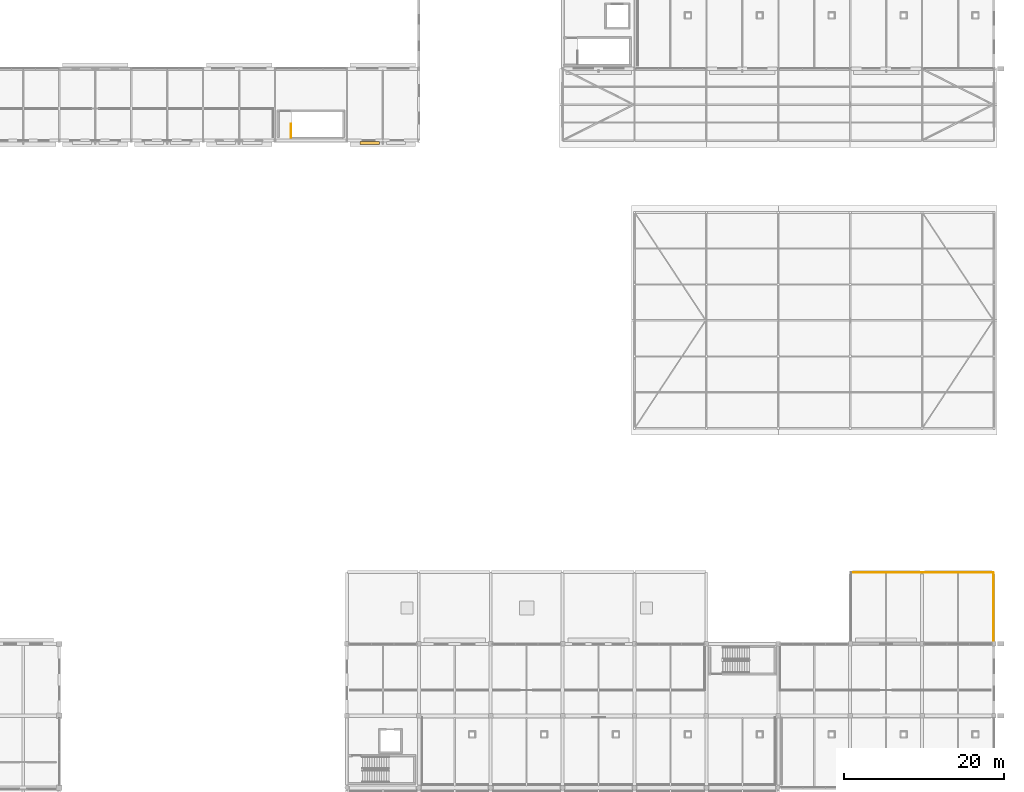
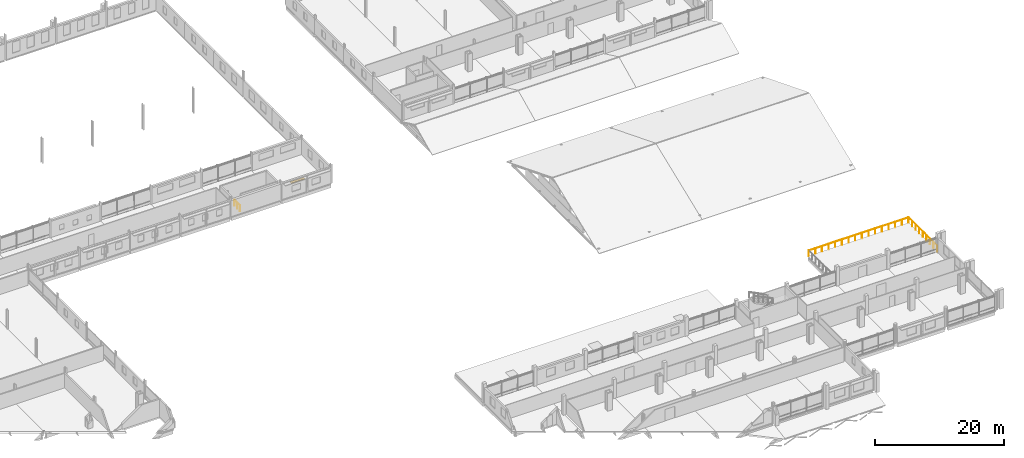
# One storey, part 129 of 132: 3 railings, 1 shading device.
"""IFC4 building model written with IfcOpenShell, lengths in metres."""

from ifc_helpers import new_model, si_unit, direction, frame, origin, origin_2d, place, context, subcontext, project, spatial, rectangle, circle, extrude, material, layer, layer_set, type_object, element, save


model = new_model("IFC4")

# Units and contexts
model_context = context("Model", 3, precision=1e-05, world=origin(), true_north=direction((0.0, 1.0)))
body_context = subcontext(model_context, "Body", "Model", "MODEL_VIEW")
ifc_project = project(units=[si_unit("LENGTHUNIT", "METRE"), si_unit("AREAUNIT", "SQUARE_METRE"), si_unit("VOLUMEUNIT", "CUBIC_METRE"), si_unit("PLANEANGLEUNIT", "RADIAN"), si_unit("MASSUNIT", "GRAM", prefix="KILO")], contexts=[model_context])

# Site, building, storey
site_placement = place(None, origin())
site = spatial("IfcSite", under=ifc_project, at=site_placement, CompositionType="ELEMENT")
building_placement = place(site_placement, origin())
building = spatial("IfcBuilding", under=site, at=building_placement, Name="Tharagai Park Tramway Depot", CompositionType="ELEMENT")
storey_placement = place(building_placement, frame((0.0, 0.0, 4.800048828125)))
storey = spatial("IfcBuildingStorey", under=building, at=storey_placement, Name="L01", CompositionType="ELEMENT", Elevation=4.800048828125)

# Railings
ifc_material_1 = material(Name="Galvanised steel", Category="steel")
railing_type_1 = type_object("IfcRailingType", Name="GR-01", PredefinedType="BALUSTRADE", material=ifc_material_1)
railing_1_placement = place(storey_placement, frame((198.080078125, 35.919921875, 0.0)))
element("IfcRailing", 1, at=railing_1_placement, inside=storey, type_object=railing_type_1, Name="Park Loggia Terrace Perimeter Guard N", PredefinedType="BALUSTRADE", context=body_context, shape_type="SweptSolid", body=[
    extrude(circle(Radius=0.02392578125, at=origin_2d()), frame((0.0, 0.0, 1.076171875), z_axis=(1.0, 0.0, 0.0), x_axis=(0.0, 1.0, 0.0)), (0.0, 0.0, 1.0), 17.83984375),
    extrude(circle(Radius=0.02099609375, at=origin_2d()), origin(), (0.0, 0.0, 1.0), 1.052001953125),
    extrude(circle(Radius=0.02099609375, at=origin_2d()), frame((1.189208984375, 0.0, 0.0)), (0.0, 0.0, 1.0), 1.052001953125),
    extrude(circle(Radius=0.02099609375, at=origin_2d()), frame((2.378662109375, 0.0, 0.0)), (0.0, 0.0, 1.0), 1.052001953125),
    extrude(circle(Radius=0.02099609375, at=origin_2d()), frame((3.56787109375, 0.0, 0.0)), (0.0, 0.0, 1.0), 1.052001953125),
    extrude(circle(Radius=0.02099609375, at=origin_2d()), frame((4.75732421875, 0.0, 0.0)), (0.0, 0.0, 1.0), 1.052001953125),
    extrude(circle(Radius=0.02099609375, at=origin_2d()), frame((5.946533203125, 0.0, 0.0)), (0.0, 0.0, 1.0), 1.052001953125),
    extrude(circle(Radius=0.02099609375, at=origin_2d()), frame((7.135986328125, 0.0, 0.0)), (0.0, 0.0, 1.0), 1.052001953125),
    extrude(circle(Radius=0.02099609375, at=origin_2d()), frame((8.3251953125, 0.0, 0.0)), (0.0, 0.0, 1.0), 1.052001953125),
    extrude(circle(Radius=0.02099609375, at=origin_2d()), frame((9.5146484375, 0.0, 0.0)), (0.0, 0.0, 1.0), 1.052001953125),
    extrude(circle(Radius=0.02099609375, at=origin_2d()), frame((10.703857421875, 0.0, 0.0)), (0.0, 0.0, 1.0), 1.052001953125),
    extrude(circle(Radius=0.02099609375, at=origin_2d()), frame((11.893310546875, 0.0, 0.0)), (0.0, 0.0, 1.0), 1.052001953125),
    extrude(circle(Radius=0.02099609375, at=origin_2d()), frame((13.08251953125, 0.0, 0.0)), (0.0, 0.0, 1.0), 1.052001953125),
    extrude(circle(Radius=0.02099609375, at=origin_2d()), frame((14.27197265625, 0.0, 0.0)), (0.0, 0.0, 1.0), 1.052001953125),
    extrude(circle(Radius=0.02099609375, at=origin_2d()), frame((15.461181640625, 0.0, 0.0)), (0.0, 0.0, 1.0), 1.052001953125),
    extrude(circle(Radius=0.02099609375, at=origin_2d()), frame((16.650634765625, 0.0, 0.0)), (0.0, 0.0, 1.0), 1.052001953125),
    extrude(circle(Radius=0.02099609375, at=origin_2d()), frame((17.83984375, 0.0, 0.0)), (0.0, 0.0, 1.0), 1.052001953125),
])
railing_2_placement = place(storey_placement, frame((215.919921875, 27.080078125, 0.0)))
element("IfcRailing", 2, at=railing_2_placement, inside=storey, type_object=railing_type_1, Name="Park Loggia Terrace Perimeter Guard E", PredefinedType="BALUSTRADE", context=body_context, shape_type="SweptSolid", body=[
    extrude(circle(Radius=0.02392578125, at=origin_2d()), frame((0.0, 0.0, 1.076171875), z_axis=(0.0, 1.0, 0.0), x_axis=(-1.0, 0.0, 0.0)), (0.0, 0.0, 1.0), 8.83984375),
    extrude(circle(Radius=0.02099609375, at=origin_2d()), origin(), (0.0, 0.0, 1.0), 1.052001953125),
    extrude(circle(Radius=0.02099609375, at=origin_2d()), frame((0.0, 1.10498046875, 0.0)), (0.0, 0.0, 1.0), 1.052001953125),
    extrude(circle(Radius=0.02099609375, at=origin_2d()), frame((0.0, 2.2099609375, 0.0)), (0.0, 0.0, 1.0), 1.052001953125),
    extrude(circle(Radius=0.02099609375, at=origin_2d()), frame((0.0, 3.31494140625, 0.0)), (0.0, 0.0, 1.0), 1.052001953125),
    extrude(circle(Radius=0.02099609375, at=origin_2d()), frame((0.0, 4.419921875, 0.0)), (0.0, 0.0, 1.0), 1.052001953125),
    extrude(circle(Radius=0.02099609375, at=origin_2d()), frame((0.0, 5.52490234375, 0.0)), (0.0, 0.0, 1.0), 1.052001953125),
    extrude(circle(Radius=0.02099609375, at=origin_2d()), frame((0.0, 6.6298828125, 0.0)), (0.0, 0.0, 1.0), 1.052001953125),
    extrude(circle(Radius=0.02099609375, at=origin_2d()), frame((0.0, 7.73486328125, 0.0)), (0.0, 0.0, 1.0), 1.052001953125),
    extrude(circle(Radius=0.02099609375, at=origin_2d()), frame((0.0, 8.83984375, 0.0)), (0.0, 0.0, 1.0), 1.052001953125),
])
railing_type_2 = type_object("IfcRailingType", Name="HR-02", PredefinedType="GUARDRAIL", material=ifc_material_1)
railing_3_placement = place(storey_placement, frame((127.989990234375, 90.39990234375, 0.0)))
element("IfcRailing", 3, at=railing_3_placement, inside=storey, type_object=railing_type_2, Name="L01 ST-11 top well guard 1", PredefinedType="GUARDRAIL", context=body_context, shape_type="SweptSolid", body=[
    extrude(circle(Radius=0.02392578125, at=origin_2d()), frame((0.0, 0.0, 1.076171875), z_axis=(0.0, 1.0, 0.0), x_axis=(-1.0, 0.0, 0.0)), (0.0, 0.0, 1.0), 1.670166015625),
    extrude(circle(Radius=0.02099609375, at=origin_2d()), origin(), (0.0, 0.0, 1.0), 1.052001953125),
    extrude(circle(Radius=0.02099609375, at=origin_2d()), frame((0.0, 0.8349609375, 0.0)), (0.0, 0.0, 1.0), 1.052001953125),
    extrude(circle(Radius=0.02099609375, at=origin_2d()), frame((0.0, 1.670166015625, 0.0)), (0.0, 0.0, 1.0), 1.052001953125),
])

# Shading device
ifc_material_2 = material(Name="Charnockite stone", Category="masonry")
ifc_layer = layer(ifc_material_2, 0.139892578125)
ifc_layer_set = layer_set([ifc_layer], Name="Charnockite stone")
shading_device_type = type_object("IfcShadingDeviceType", Name="SD-03", PredefinedType="AWNING", material=ifc_layer_set)
shading_device_placement = place(storey_placement, frame((137.85009765625, 89.7099609375, 2.69189453125), z_axis=(0.0, 0.0, 1.0), x_axis=(1.0, 0.0, 0.0)))
element("IfcShadingDevice", 4, at=shading_device_placement, inside=storey, type_object=shading_device_type, Name="Charnockite Gothic Window Hood Drip Moulding SD-03 #4-1", PredefinedType="AWNING", context=body_context, shape_type="SweptSolid", body=[
    extrude(rectangle(XDim=2.39990234375, YDim=0.360107421875, at=origin_2d()), origin(), (0.0, 0.0, 1.0), 0.139892578125),
])

save(model, "model.ifc")
